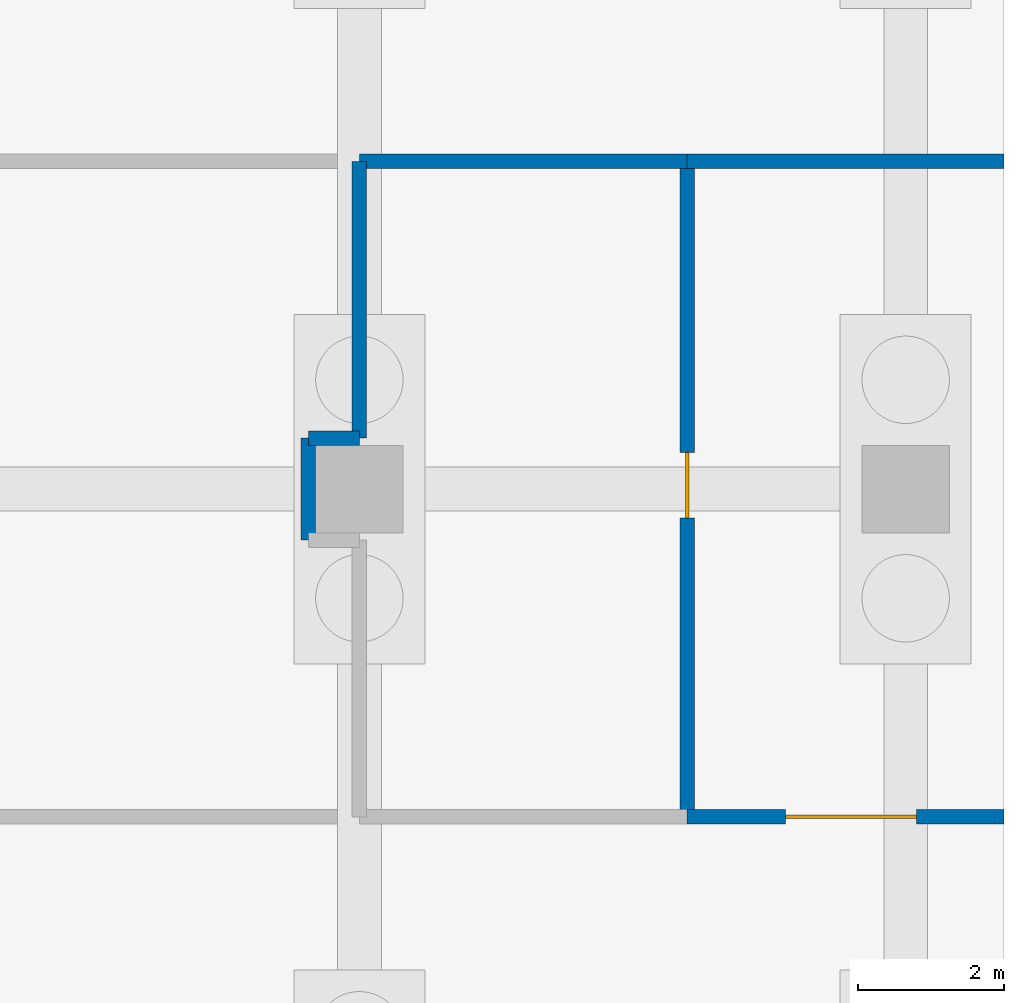
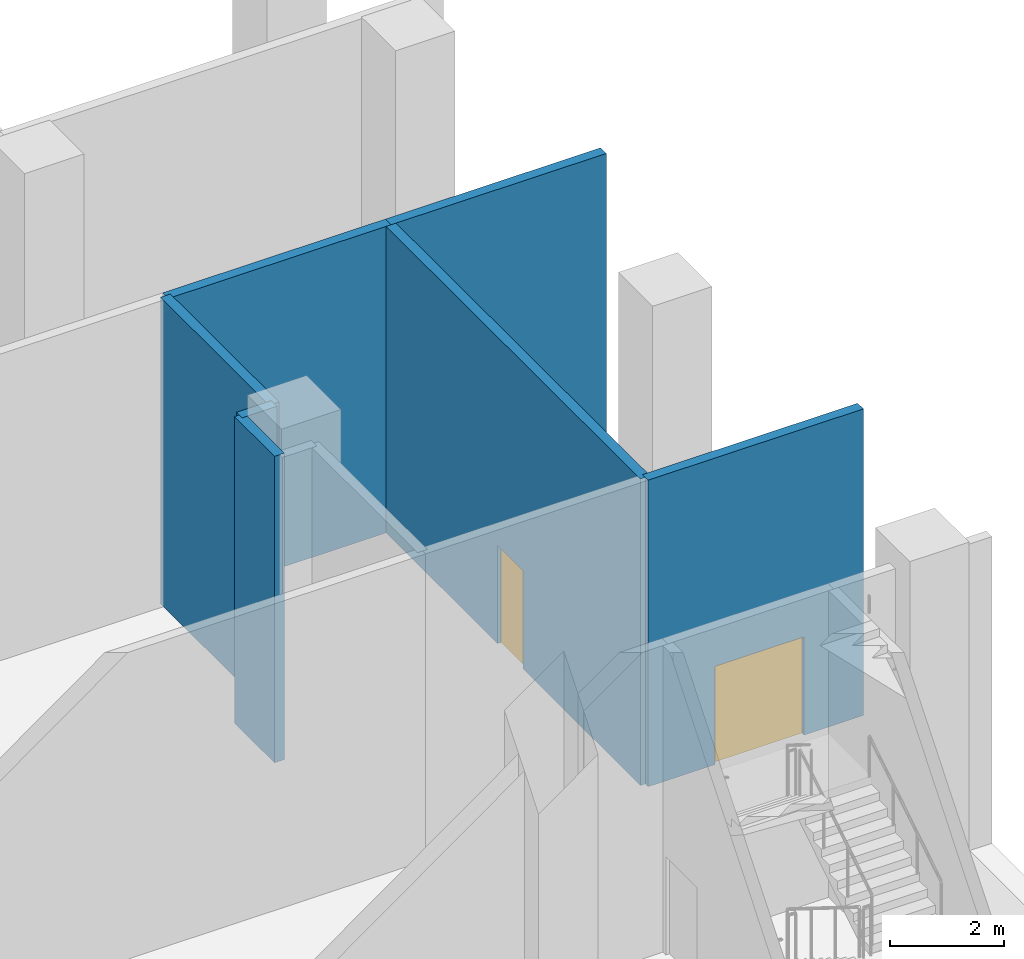
# One storey, part 15 of 23: 7 walls, 2 doors, 2 openings.
"""IFC4 building model written with IfcOpenShell, lengths in metres."""

from ifc_helpers import new_model, si_unit, direction, frame, frame_2d, origin, place, context, subcontext, project, spatial, rectangle, extrude, material, layer, layer_set, type_object, element, fill, save


model = new_model("IFC4")

# Units and contexts
model_context = context("Model", 3, precision=1e-05, world=origin(), true_north=direction((0.0, 1.0)))
body_context = subcontext(model_context, "Body", "Model", "MODEL_VIEW")
ifc_project = project(units=[si_unit("LENGTHUNIT", "METRE"), si_unit("AREAUNIT", "SQUARE_METRE"), si_unit("VOLUMEUNIT", "CUBIC_METRE"), si_unit("PLANEANGLEUNIT", "RADIAN"), si_unit("MASSUNIT", "GRAM", prefix="KILO")], contexts=[model_context])

# Site, building, storey
site_placement = place(None, origin())
site = spatial("IfcSite", under=ifc_project, at=site_placement, CompositionType="ELEMENT")
building_placement = place(site_placement, origin())
building = spatial("IfcBuilding", under=site, at=building_placement, Name="Plateau Cross Towers", CompositionType="ELEMENT")
storey_placement = place(building_placement, frame((0.0, 0.0, -7.0)))
storey = spatial("IfcBuildingStorey", under=building, at=storey_placement, Name="B1", CompositionType="ELEMENT", Elevation=-7.0)

# Walls
ifc_material_1 = material(Name="Gypsum board on steel studs", Category="steel")
ifc_layer = layer(ifc_material_1, 0.199951171875)
ifc_layer_set = layer_set([ifc_layer], Name="Gypsum board on steel studs")
wall_type = type_object("IfcWallType", Name="Podium partition 200", PredefinedType="PARTITIONING", material=ifc_layer_set)
wall_1_placement = place(storey_placement, frame((99.0, 49.5, 0.0), z_axis=(0.0, 0.0, 1.0), x_axis=(0.0, -1.0, 0.0)))
element("IfcWall", 1, at=wall_1_placement, inside=storey, type_object=wall_type, Name="Partition wall", PredefinedType="PARTITIONING", context=body_context, shape_type="SweptSolid", body=[
    extrude(rectangle(XDim=3.800048828125, YDim=0.199951171875, at=frame_2d((1.89990234375, 0.0))), origin(), (0.0, 0.0, 1.0), 6.550048828125),
])
wall_2_placement = place(storey_placement, frame((99.0, 45.699951171875, 0.0), z_axis=(0.0, 0.0, 1.0), x_axis=(-1.0, 0.0, 0.0)))
element("IfcWall", 2, at=wall_2_placement, inside=storey, type_object=wall_type, Name="Partition wall", PredefinedType="PARTITIONING", context=body_context, shape_type="SweptSolid", body=[
    extrude(rectangle(XDim=0.699951171875, YDim=0.199951171875, at=frame_2d((0.35009765625, 0.0))), origin(), (0.0, 0.0, 1.0), 6.550048828125),
])
wall_3_placement = place(storey_placement, frame((98.300048828125, 45.699951171875, 0.0), z_axis=(0.0, 0.0, 1.0), x_axis=(0.0, -1.0, 0.0)))
element("IfcWall", 3, at=wall_3_placement, inside=storey, type_object=wall_type, Name="Partition wall", PredefinedType="PARTITIONING", context=body_context, shape_type="SweptSolid", body=[
    extrude(rectangle(XDim=1.39990234375, YDim=0.199951171875, at=frame_2d((0.699951171875, 0.0))), origin(), (0.0, 0.0, 1.0), 6.550048828125),
])

# Wall, opening, door
wall_4_placement = place(storey_placement, frame((103.5, 40.5, 0.0), z_axis=(0.0, 0.0, 1.0), x_axis=(0.0, 1.0, 0.0)))
wall_4 = element("IfcWall", 4, at=wall_4_placement, inside=storey, type_object=wall_type, Name="Partition wall", PredefinedType="PARTITIONING", context=body_context, shape_type="SweptSolid", body=[
    extrude(rectangle(XDim=9.0, YDim=0.199951171875, at=frame_2d((4.5, 0.0))), origin(), (0.0, 0.0, 1.0), 6.550048828125),
])
opening_1_placement = place(wall_4_placement, frame((4.10009765625, 0.0, 0.0)))
opening_1 = element("IfcOpeningElement", 5, at=opening_1_placement, cuts=wall_4, Name="Opening B1-13", PredefinedType="OPENING", context=body_context, shape_type="SweptSolid", body=[
    extrude(rectangle(XDim=0.89990234375, YDim=2.10009765625, at=frame_2d((0.449951171875, 1.050048828125))), frame((0.0, 0.10986328125, 0.0), z_axis=(0.0, -1.0, 0.0), x_axis=(1.0, 0.0, 0.0)), (0.0, 0.0, 1.0), 0.219970703125),
])
ifc_material_2 = material(Name="Timber leaf", Category="wood")
door_type_1 = type_object("IfcDoorType", Name="Podium room door 900", OperationType="NOTDEFINED", PredefinedType="DOOR", material=ifc_material_2)
door_1_placement = place(opening_1_placement, origin())
door_1 = element("IfcDoor", 6, at=door_1_placement, inside=storey, type_object=door_type_1, Name="Door B1-13", OperationType="SINGLE_SWING_LEFT", OverallHeight=2.10009765625, OverallWidth=0.89990234375, PredefinedType="DOOR", context=body_context, shape_type="SweptSolid", body=[
    extrude(rectangle(XDim=0.89990234375, YDim=2.10009765625, at=frame_2d((0.449951171875, 1.050048828125))), frame((0.0, 0.02490234375, 0.0), z_axis=(0.0, -1.0, 0.0), x_axis=(1.0, 0.0, 0.0)), (0.0, 0.0, 1.0), 0.050048828125),
])
fill(opening_1, door_1)

# Wall
wall_5_placement = place(storey_placement, frame((103.5, 49.5, 0.0), z_axis=(0.0, 0.0, 1.0), x_axis=(-1.0, 0.0, 0.0)))
element("IfcWall", 7, at=wall_5_placement, inside=storey, type_object=wall_type, Name="Partition wall", PredefinedType="PARTITIONING", context=body_context, shape_type="SweptSolid", body=[
    extrude(rectangle(XDim=4.5, YDim=0.199951171875, at=frame_2d((2.25, 0.0))), origin(), (0.0, 0.0, 1.0), 6.550048828125),
])

# Wall, opening, door
wall_6_placement = place(storey_placement, frame((103.5, 40.5, 0.0), z_axis=(0.0, 0.0, 1.0), x_axis=(1.0, 0.0, 0.0)))
wall_6 = element("IfcWall", 8, at=wall_6_placement, inside=storey, type_object=wall_type, Name="Partition wall", PredefinedType="PARTITIONING", context=body_context, shape_type="SweptSolid", body=[
    extrude(rectangle(XDim=4.35009765625, YDim=0.199951171875, at=frame_2d((2.175048828125, 0.0))), origin(), (0.0, 0.0, 1.0), 6.550048828125),
])
opening_2_placement = place(wall_6_placement, frame((1.35009765625, 0.0, 0.0)))
opening_2 = element("IfcOpeningElement", 9, at=opening_2_placement, cuts=wall_6, Name="Opening B1-35", PredefinedType="OPENING", context=body_context, shape_type="SweptSolid", body=[
    extrude(rectangle(XDim=1.800048828125, YDim=2.10009765625, at=frame_2d((0.89990234375, 1.050048828125))), frame((0.0, 0.10986328125, 0.0), z_axis=(0.0, -1.0, 0.0), x_axis=(1.0, 0.0, 0.0)), (0.0, 0.0, 1.0), 0.219970703125),
])
ifc_material_3 = material(Name="Aluminium frame, toughened glass", Category="aluminium")
door_type_2 = type_object("IfcDoorType", Name="Podium door pair 1800", OperationType="NOTDEFINED", PredefinedType="DOOR", material=ifc_material_3)
door_2_placement = place(opening_2_placement, origin())
door_2 = element("IfcDoor", 10, at=door_2_placement, inside=storey, type_object=door_type_2, Name="Door B1-35", OperationType="DOUBLE_DOOR_SINGLE_SWING", OverallHeight=2.10009765625, OverallWidth=1.800048828125, PredefinedType="DOOR", context=body_context, shape_type="SweptSolid", body=[
    extrude(rectangle(XDim=1.800048828125, YDim=2.10009765625, at=frame_2d((0.89990234375, 1.050048828125))), frame((0.0, 0.02490234375, 0.0), z_axis=(0.0, -1.0, 0.0), x_axis=(1.0, 0.0, 0.0)), (0.0, 0.0, 1.0), 0.050048828125),
])
fill(opening_2, door_2)

# Wall
wall_7_placement = place(storey_placement, frame((103.5, 49.5, 0.0), z_axis=(0.0, 0.0, 1.0), x_axis=(1.0, 0.0, 0.0)))
element("IfcWall", 11, at=wall_7_placement, inside=storey, type_object=wall_type, Name="Partition wall", PredefinedType="PARTITIONING", context=body_context, shape_type="SweptSolid", body=[
    extrude(rectangle(XDim=4.35009765625, YDim=0.199951171875, at=frame_2d((2.175048828125, 0.0))), origin(), (0.0, 0.0, 1.0), 6.550048828125),
])

save(model, "model.ifc")
